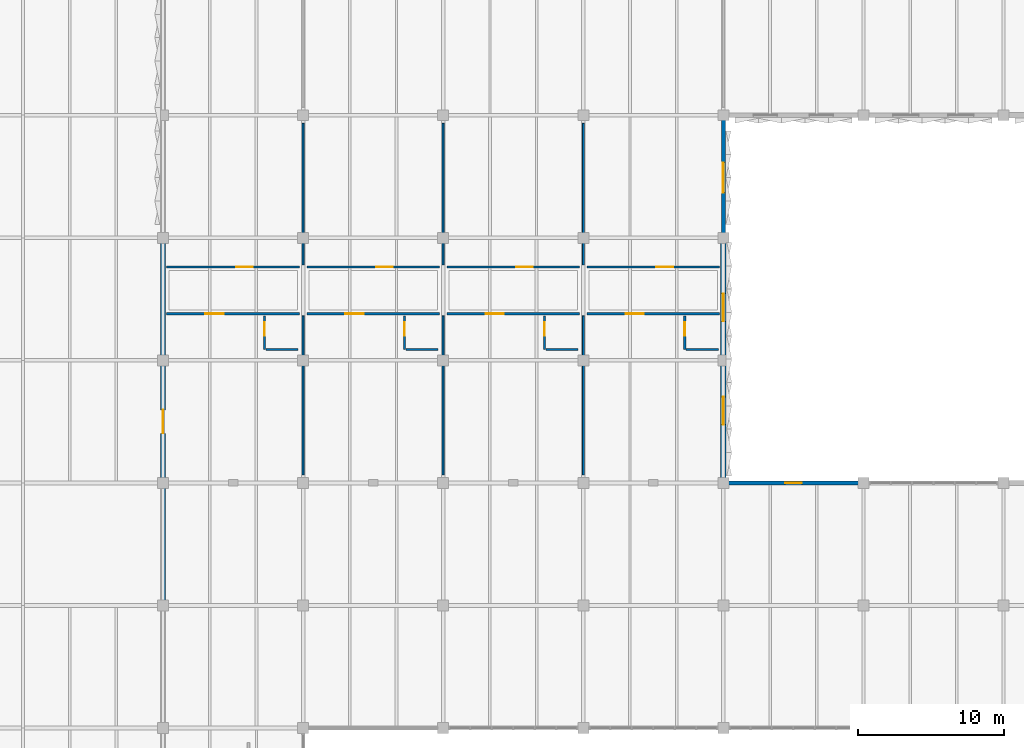
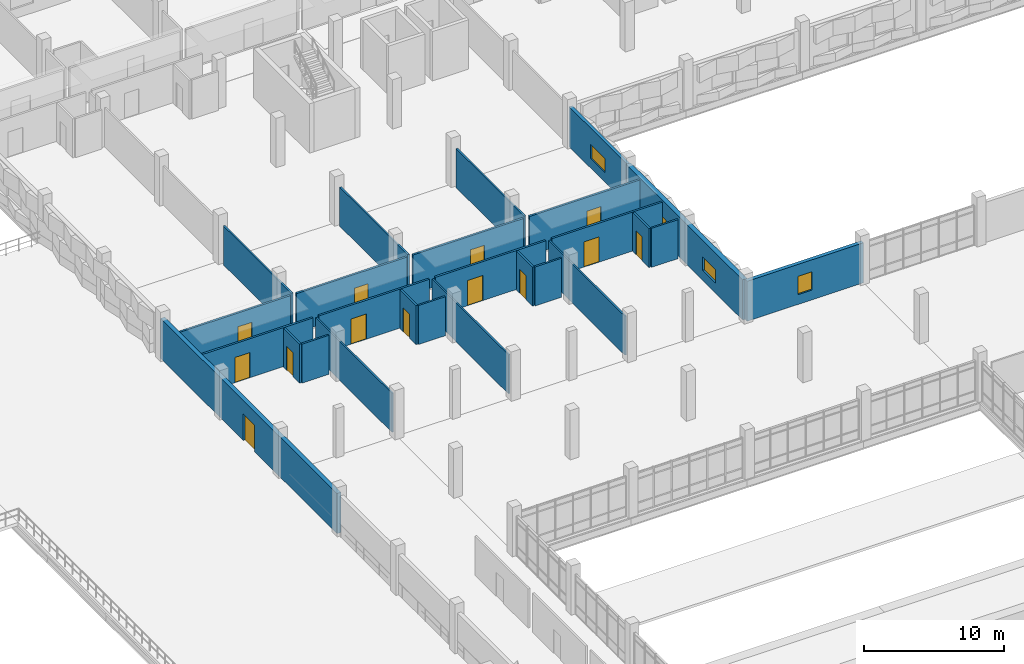
# One storey, part 63 of 86: 26 walls, 13 doors, 4 windows, 17 openings.
"""IFC4 building model written with IfcOpenShell, lengths in metres."""

from ifc_helpers import new_model, si_unit, direction, frame, frame_2d, origin, place, context, subcontext, project, spatial, rectangle, extrude, material, layer, layer_set, type_object, element, fill, save


model = new_model("IFC4")

# Units and contexts
model_context = context("Model", 3, precision=1e-05, world=origin(), true_north=direction((0.0, 1.0)))
body_context = subcontext(model_context, "Body", "Model", "MODEL_VIEW")
ifc_project = project(units=[si_unit("LENGTHUNIT", "METRE"), si_unit("AREAUNIT", "SQUARE_METRE"), si_unit("VOLUMEUNIT", "CUBIC_METRE"), si_unit("PLANEANGLEUNIT", "RADIAN"), si_unit("MASSUNIT", "GRAM", prefix="KILO")], contexts=[model_context])

# Site, building, storey
site_placement = place(None, origin())
site = spatial("IfcSite", under=ifc_project, at=site_placement, CompositionType="ELEMENT")
building_placement = place(site_placement, origin())
building = spatial("IfcBuilding", under=site, at=building_placement, Name="Oolite Switchyard Hospital", CompositionType="ELEMENT")
storey_placement = place(building_placement, frame((0.0, 0.0, 13.5)))
storey = spatial("IfcBuildingStorey", under=building, at=storey_placement, Name="L03", CompositionType="ELEMENT", Elevation=13.5)

# Wall, opening, window
ifc_material_1 = material(Name="Precast oolitic limestone architectural concrete C40/50", Category="masonry")
ifc_layer_1 = layer(ifc_material_1, 0.260009765625)
ifc_layer_set_1 = layer_set([ifc_layer_1], Name="WAL-EXT-260")
wall_type_1 = type_object("IfcWallType", Name="WAL-EXT-260", PredefinedType="SOLIDWALL", material=ifc_layer_set_1)
wall_1_placement = place(storey_placement, frame((172.800048828125, 100.639892578125, 0.0), z_axis=(0.0, 0.0, 1.0), x_axis=(0.0, -1.0, 0.0)))
wall_1 = element("IfcWall", 1, at=wall_1_placement, inside=storey, type_object=wall_type_1, Name="L03 Exterior Spandrel Wall 242", PredefinedType="SOLIDWALL", context=body_context, shape_type="SweptSolid", body=[
    extrude(rectangle(XDim=8.239990234375, YDim=0.260009765625, at=frame_2d((4.1201171875, 0.0))), origin(), (0.0, 0.0, 1.0), 3.489990234375),
])
opening_1_placement = place(wall_1_placement, frame((3.094970703125, 0.0, 0.85009765625)))
opening_1 = element("IfcOpeningElement", 2, at=opening_1_placement, cuts=wall_1, Name="Opening WN-0144", PredefinedType="OPENING", context=body_context, shape_type="SweptSolid", body=[
    extrude(rectangle(XDim=2.050048828125, YDim=1.199951171875, at=frame_2d((1.02490234375, 0.60009765625))), frame((0.0, 0.14013671875, 0.0), z_axis=(0.0, -1.0, 0.0), x_axis=(1.0, 0.0, 0.0)), (0.0, 0.0, 1.0), 0.280029296875),
])
ifc_material_2 = material(Name="Thermally broken aluminum frame with laminated impact glazing", Category="aluminium")
window_type_1 = type_object("IfcWindowType", Name="WIN-IMP-205X120", PartitioningType="SINGLE_PANEL", PredefinedType="WINDOW", material=ifc_material_2)
window_1_placement = place(opening_1_placement, origin())
window_1 = element("IfcWindow", 3, at=window_1_placement, inside=storey, type_object=window_type_1, Name="L03 Hurricane Impact Window WN-0144", OverallHeight=1.199951171875, OverallWidth=2.050048828125, PartitioningType="SINGLE_PANEL", PredefinedType="WINDOW", context=body_context, shape_type="SweptSolid", body=[
    extrude(rectangle(XDim=2.050048828125, YDim=1.199951171875, at=frame_2d((1.02490234375, 0.60009765625))), frame((0.0, 0.030029296875, 0.0), z_axis=(0.0, -1.0, 0.0), x_axis=(1.0, 0.0, 0.0)), (0.0, 0.0, 1.0), 0.06005859375),
])
fill(opening_1, window_1)

ifc_layer_2 = layer(ifc_material_1, 0.300048828125)
ifc_layer_set_2 = layer_set([ifc_layer_2], Name="WAL-EXT-300")
wall_type_2 = type_object("IfcWallType", Name="WAL-EXT-300", PredefinedType="SOLIDWALL", material=ifc_layer_set_2)
wall_2_placement = place(storey_placement, frame((172.800048828125, 75.60009765625, 0.0), z_axis=(0.0, 0.0, 1.0), x_axis=(1.0, 0.0, 0.0)))
wall_2 = element("IfcWall", 4, at=wall_2_placement, inside=storey, type_object=wall_type_2, Name="L03 Exterior Spandrel Wall 181", PredefinedType="SOLIDWALL", context=body_context, shape_type="SweptSolid", body=[
    extrude(rectangle(XDim=9.599853515625, YDim=0.300048828125, at=frame_2d((4.7998046875, 0.0))), origin(), (0.0, 0.0, 1.0), 3.489990234375),
])
opening_2_placement = place(wall_2_placement, frame((4.22509765625, 0.0, 0.85009765625)))
opening_2 = element("IfcOpeningElement", 5, at=opening_2_placement, cuts=wall_2, Name="Opening WN-0073", PredefinedType="OPENING", context=body_context, shape_type="SweptSolid", body=[
    extrude(rectangle(XDim=1.14990234375, YDim=1.60009765625, at=frame_2d((0.574951171875, 0.800048828125))), frame((0.0, 0.16015625, 0.0), z_axis=(0.0, -1.0, 0.0), x_axis=(1.0, 0.0, 0.0)), (0.0, 0.0, 1.0), 0.320068359375),
])
window_type_2 = type_object("IfcWindowType", Name="WIN-IMP-115X160", PartitioningType="SINGLE_PANEL", PredefinedType="WINDOW", material=ifc_material_2)
window_2_placement = place(opening_2_placement, origin())
window_2 = element("IfcWindow", 6, at=window_2_placement, inside=storey, type_object=window_type_2, Name="L03 Hurricane Impact Window WN-0073", OverallHeight=1.60009765625, OverallWidth=1.14990234375, PartitioningType="SINGLE_PANEL", PredefinedType="WINDOW", context=body_context, shape_type="SweptSolid", body=[
    extrude(rectangle(XDim=1.14990234375, YDim=1.60009765625, at=frame_2d((0.574951171875, 0.800048828125))), frame((0.0, 0.030029296875, 0.0), z_axis=(0.0, -1.0, 0.0), x_axis=(1.0, 0.0, 0.0)), (0.0, 0.0, 1.0), 0.06005859375),
])
fill(opening_2, window_2)

# Wall, opening, door
ifc_layer_3 = layer(ifc_material_1, 0.340087890625)
ifc_layer_set_3 = layer_set([ifc_layer_3], Name="WAL-EXT-340")
wall_type_3 = type_object("IfcWallType", Name="WAL-EXT-340", PredefinedType="SOLIDWALL", material=ifc_layer_set_3)
wall_3_placement = place(storey_placement, frame((134.39990234375, 67.199951171875, 0.0), z_axis=(0.0, 0.0, 1.0), x_axis=(0.0, 1.0, 0.0)))
wall_3 = element("IfcWall", 7, at=wall_3_placement, inside=storey, type_object=wall_type_3, Name="L03 Exterior Spandrel Wall 239", PredefinedType="SOLIDWALL", context=body_context, shape_type="SweptSolid", body=[
    extrude(rectangle(XDim=25.199951171875, YDim=0.340087890625, at=frame_2d((12.60009765625, 0.0))), origin(), (0.0, 0.0, 1.0), 3.489990234375),
])
opening_3_placement = place(wall_3_placement, frame((11.800048828125, 0.0, 0.0)))
opening_3 = element("IfcOpeningElement", 8, at=opening_3_placement, cuts=wall_3, Name="Opening EX-23", PredefinedType="OPENING", context=body_context, shape_type="SweptSolid", body=[
    extrude(rectangle(XDim=1.60009765625, YDim=2.300048828125, at=frame_2d((0.800048828125, 1.14990234375))), frame((0.0, 0.18017578125, 0.0), z_axis=(0.0, -1.0, 0.0), x_axis=(1.0, 0.0, 0.0)), (0.0, 0.0, 1.0), 0.360107421875),
])
door_type_1 = type_object("IfcDoorType", Name="DR-TER-160X230", OperationType="NOTDEFINED", PredefinedType="DOOR", material=ifc_material_2)
door_1_placement = place(opening_3_placement, origin())
door_1 = element("IfcDoor", 9, at=door_1_placement, inside=storey, type_object=door_type_1, Name="L03 Exterior EX EX-23", OperationType="SINGLE_SWING_RIGHT", OverallHeight=2.300048828125, OverallWidth=1.60009765625, PredefinedType="DOOR", context=body_context, shape_type="SweptSolid", body=[
    extrude(rectangle(XDim=1.60009765625, YDim=2.300048828125, at=frame_2d((0.800048828125, 1.14990234375))), frame((0.0, 0.02490234375, 0.0), z_axis=(0.0, -1.0, 0.0), x_axis=(1.0, 0.0, 0.0)), (0.0, 0.0, 1.0), 0.050048828125),
])
fill(opening_3, door_1)

# Wall, openings, windows
ifc_layer_4 = layer(ifc_material_1, 0.3798828125)
ifc_layer_set_4 = layer_set([ifc_layer_4], Name="WAL-EXT-380")
wall_type_4 = type_object("IfcWallType", Name="WAL-EXT-380", PredefinedType="SOLIDWALL", material=ifc_layer_set_4)
wall_4_placement = place(storey_placement, frame((172.800048828125, 92.39990234375, 0.0), z_axis=(0.0, 0.0, 1.0), x_axis=(0.0, -1.0, 0.0)))
wall_4 = element("IfcWall", 10, at=wall_4_placement, inside=storey, type_object=wall_type_4, Name="L03 Exterior Spandrel Wall 241", PredefinedType="SOLIDWALL", context=body_context, shape_type="SweptSolid", body=[
    extrude(rectangle(XDim=16.639892578125, YDim=0.3798828125, at=frame_2d((8.31982421875, 0.0))), origin(), (0.0, 0.0, 1.0), 3.489990234375),
])
opening_4_placement = place(wall_4_placement, frame((3.83203125, 0.0, 0.85009765625)))
opening_4 = element("IfcOpeningElement", 11, at=opening_4_placement, cuts=wall_4, Name="Opening WN-0142", PredefinedType="OPENING", context=body_context, shape_type="SweptSolid", body=[
    extrude(rectangle(XDim=1.89990234375, YDim=1.199951171875, at=frame_2d((0.949951171875, 0.60009765625))), frame((0.0, 0.199951171875, 0.0), z_axis=(0.0, -1.0, 0.0), x_axis=(1.0, 0.0, 0.0)), (0.0, 0.0, 1.0), 0.39990234375),
])
opening_5_placement = place(wall_4_placement, frame((10.907958984375, 0.0, 0.85009765625)))
opening_5 = element("IfcOpeningElement", 12, at=opening_5_placement, cuts=wall_4, Name="Opening WN-0143", PredefinedType="OPENING", context=body_context, shape_type="SweptSolid", body=[
    extrude(rectangle(XDim=1.89990234375, YDim=1.199951171875, at=frame_2d((0.949951171875, 0.60009765625))), frame((0.0, 0.199951171875, 0.0), z_axis=(0.0, -1.0, 0.0), x_axis=(1.0, 0.0, 0.0)), (0.0, 0.0, 1.0), 0.39990234375),
])
window_type_3 = type_object("IfcWindowType", Name="WIN-IMP-190X120", PartitioningType="SINGLE_PANEL", PredefinedType="WINDOW", material=ifc_material_2)
window_3_placement = place(opening_4_placement, origin())
window_3 = element("IfcWindow", 13, at=window_3_placement, inside=storey, type_object=window_type_3, Name="L03 Hurricane Impact Window WN-0142", OverallHeight=1.199951171875, OverallWidth=1.89990234375, PartitioningType="SINGLE_PANEL", PredefinedType="WINDOW", context=body_context, shape_type="SweptSolid", body=[
    extrude(rectangle(XDim=1.89990234375, YDim=1.199951171875, at=frame_2d((0.949951171875, 0.60009765625))), frame((0.0, 0.030029296875, 0.0), z_axis=(0.0, -1.0, 0.0), x_axis=(1.0, 0.0, 0.0)), (0.0, 0.0, 1.0), 0.06005859375),
])
fill(opening_4, window_3)
window_4_placement = place(opening_5_placement, origin())
window_4 = element("IfcWindow", 14, at=window_4_placement, inside=storey, type_object=window_type_3, Name="L03 Hurricane Impact Window WN-0143", OverallHeight=1.199951171875, OverallWidth=1.89990234375, PartitioningType="SINGLE_PANEL", PredefinedType="WINDOW", context=body_context, shape_type="SweptSolid", body=[
    extrude(rectangle(XDim=1.89990234375, YDim=1.199951171875, at=frame_2d((0.949951171875, 0.60009765625))), frame((0.0, 0.030029296875, 0.0), z_axis=(0.0, -1.0, 0.0), x_axis=(1.0, 0.0, 0.0)), (0.0, 0.0, 1.0), 0.06005859375),
])
fill(opening_5, window_4)

# Walls
ifc_material_3 = material(Name="Moisture-resistant gypsum board on steel studs", Category="steel")
ifc_layer_5 = layer(ifc_material_3, 0.135009765625)
ifc_layer_set_5 = layer_set([ifc_layer_5], Name="WAL-PART-135")
wall_type_5 = type_object("IfcWallType", Name="WAL-PART-135", PredefinedType="PARTITIONING", material=ifc_layer_set_5)
wall_5_placement = place(storey_placement, frame((144.0, 76.14990234375, 0.0), z_axis=(0.0, 0.0, 1.0), x_axis=(0.0, 1.0, 0.0)))
element("IfcWall", 15, at=wall_5_placement, inside=storey, type_object=wall_type_5, Name="L03 Interior Partition 932", PredefinedType="PARTITIONING", context=body_context, shape_type="SweptSolid", body=[
    extrude(rectangle(XDim=10.900146484375, YDim=0.135009765625, at=frame_2d((5.4501953125, 0.0))), origin(), (0.0, 0.0, 1.0), 3.39990234375),
])
wall_6_placement = place(storey_placement, frame((144.0, 90.550048828125, 0.0), z_axis=(0.0, 0.0, 1.0), x_axis=(0.0, 1.0, 0.0)))
element("IfcWall", 16, at=wall_6_placement, inside=storey, type_object=wall_type_5, Name="L03 Interior Partition 934", PredefinedType="PARTITIONING", context=body_context, shape_type="SweptSolid", body=[
    extrude(rectangle(XDim=9.699951171875, YDim=0.135009765625, at=frame_2d((4.85009765625, 0.0))), origin(), (0.0, 0.0, 1.0), 3.39990234375),
])
wall_7_placement = place(storey_placement, frame((153.60009765625, 76.14990234375, 0.0), z_axis=(0.0, 0.0, 1.0), x_axis=(0.0, 1.0, 0.0)))
element("IfcWall", 17, at=wall_7_placement, inside=storey, type_object=wall_type_5, Name="L03 Interior Partition 938", PredefinedType="PARTITIONING", context=body_context, shape_type="SweptSolid", body=[
    extrude(rectangle(XDim=10.900146484375, YDim=0.135009765625, at=frame_2d((5.4501953125, 0.0))), origin(), (0.0, 0.0, 1.0), 3.39990234375),
])
wall_8_placement = place(storey_placement, frame((153.60009765625, 90.550048828125, 0.0), z_axis=(0.0, 0.0, 1.0), x_axis=(0.0, 1.0, 0.0)))
element("IfcWall", 18, at=wall_8_placement, inside=storey, type_object=wall_type_5, Name="L03 Interior Partition 940", PredefinedType="PARTITIONING", context=body_context, shape_type="SweptSolid", body=[
    extrude(rectangle(XDim=9.699951171875, YDim=0.135009765625, at=frame_2d((4.85009765625, 0.0))), origin(), (0.0, 0.0, 1.0), 3.39990234375),
])
wall_9_placement = place(storey_placement, frame((163.199951171875, 76.14990234375, 0.0), z_axis=(0.0, 0.0, 1.0), x_axis=(0.0, 1.0, 0.0)))
element("IfcWall", 19, at=wall_9_placement, inside=storey, type_object=wall_type_5, Name="L03 Interior Partition 944", PredefinedType="PARTITIONING", context=body_context, shape_type="SweptSolid", body=[
    extrude(rectangle(XDim=10.900146484375, YDim=0.135009765625, at=frame_2d((5.4501953125, 0.0))), origin(), (0.0, 0.0, 1.0), 3.39990234375),
])
wall_10_placement = place(storey_placement, frame((163.199951171875, 90.550048828125, 0.0), z_axis=(0.0, 0.0, 1.0), x_axis=(0.0, 1.0, 0.0)))
element("IfcWall", 20, at=wall_10_placement, inside=storey, type_object=wall_type_5, Name="L03 Interior Partition 946", PredefinedType="PARTITIONING", context=body_context, shape_type="SweptSolid", body=[
    extrude(rectangle(XDim=9.699951171875, YDim=0.135009765625, at=frame_2d((4.85009765625, 0.0))), origin(), (0.0, 0.0, 1.0), 3.39990234375),
])

# Wall, opening, door
ifc_layer_6 = layer(ifc_material_3, 0.14990234375)
ifc_layer_set_6 = layer_set([ifc_layer_6], Name="WAL-PART-150")
wall_type_6 = type_object("IfcWallType", Name="WAL-PART-150", PredefinedType="PARTITIONING", material=ifc_layer_set_6)
wall_11_placement = place(storey_placement, frame((141.35009765625, 84.75, 0.0), z_axis=(0.0, 0.0, 1.0), x_axis=(0.0, 1.0, 0.0)))
wall_11 = element("IfcWall", 21, at=wall_11_placement, inside=storey, type_object=wall_type_6, Name="L03 Interior Partition 926", PredefinedType="PARTITIONING", context=body_context, shape_type="SweptSolid", body=[
    extrude(rectangle(XDim=2.300048828125, YDim=0.14990234375, at=frame_2d((1.14990234375, 0.0))), origin(), (0.0, 0.0, 1.0), 3.39990234375),
])
opening_6_placement = place(wall_11_placement, frame((0.949951171875, 0.0, 0.0)))
opening_6 = element("IfcOpeningElement", 22, at=opening_6_placement, cuts=wall_11, Name="Opening D-0514", PredefinedType="OPENING", context=body_context, shape_type="SweptSolid", body=[
    extrude(rectangle(XDim=0.89990234375, YDim=2.10009765625, at=frame_2d((0.449951171875, 1.050048828125))), frame((0.0, 0.0849609375, 0.0), z_axis=(0.0, -1.0, 0.0), x_axis=(1.0, 0.0, 0.0)), (0.0, 0.0, 1.0), 0.169921875),
])
ifc_material_4 = material(Name="Solid-core antimicrobial hardwood leaf in steel frame", Category="steel")
door_type_2 = type_object("IfcDoorType", Name="DR-BATH-090X210", OperationType="NOTDEFINED", PredefinedType="DOOR", material=ifc_material_4)
door_2_placement = place(opening_6_placement, origin())
door_2 = element("IfcDoor", 23, at=door_2_placement, inside=storey, type_object=door_type_2, Name="L03 Interior Door D-0514", OperationType="SINGLE_SWING_RIGHT", OverallHeight=2.10009765625, OverallWidth=0.89990234375, PredefinedType="DOOR", context=body_context, shape_type="SweptSolid", body=[
    extrude(rectangle(XDim=0.89990234375, YDim=2.10009765625, at=frame_2d((0.449951171875, 1.050048828125))), frame((0.0, 0.02490234375, 0.0), z_axis=(0.0, -1.0, 0.0), x_axis=(1.0, 0.0, 0.0)), (0.0, 0.0, 1.0), 0.050048828125),
])
fill(opening_6, door_2)

# Wall
wall_12_placement = place(storey_placement, frame((141.449951171875, 84.75, 0.0), z_axis=(0.0, 0.0, 1.0), x_axis=(1.0, 0.0, 0.0)))
element("IfcWall", 24, at=wall_12_placement, inside=storey, type_object=wall_type_6, Name="L03 Interior Partition 927", PredefinedType="PARTITIONING", context=body_context, shape_type="SweptSolid", body=[
    extrude(rectangle(XDim=2.199951171875, YDim=0.14990234375, at=frame_2d((1.10009765625, 0.0))), origin(), (0.0, 0.0, 1.0), 3.39990234375),
])

# Wall, opening, door
wall_13_placement = place(storey_placement, frame((150.949951171875, 84.75, 0.0), z_axis=(0.0, 0.0, 1.0), x_axis=(0.0, 1.0, 0.0)))
wall_13 = element("IfcWall", 25, at=wall_13_placement, inside=storey, type_object=wall_type_6, Name="L03 Interior Partition 930", PredefinedType="PARTITIONING", context=body_context, shape_type="SweptSolid", body=[
    extrude(rectangle(XDim=2.300048828125, YDim=0.14990234375, at=frame_2d((1.14990234375, 0.0))), origin(), (0.0, 0.0, 1.0), 3.39990234375),
])
opening_7_placement = place(wall_13_placement, frame((0.949951171875, 0.0, 0.0)))
opening_7 = element("IfcOpeningElement", 26, at=opening_7_placement, cuts=wall_13, Name="Opening D-0517", PredefinedType="OPENING", context=body_context, shape_type="SweptSolid", body=[
    extrude(rectangle(XDim=0.89990234375, YDim=2.10009765625, at=frame_2d((0.449951171875, 1.050048828125))), frame((0.0, 0.0849609375, 0.0), z_axis=(0.0, -1.0, 0.0), x_axis=(1.0, 0.0, 0.0)), (0.0, 0.0, 1.0), 0.169921875),
])
door_3_placement = place(opening_7_placement, origin())
door_3 = element("IfcDoor", 27, at=door_3_placement, inside=storey, type_object=door_type_2, Name="L03 Interior Door D-0517", OperationType="SINGLE_SWING_LEFT", OverallHeight=2.10009765625, OverallWidth=0.89990234375, PredefinedType="DOOR", context=body_context, shape_type="SweptSolid", body=[
    extrude(rectangle(XDim=0.89990234375, YDim=2.10009765625, at=frame_2d((0.449951171875, 1.050048828125))), frame((0.0, 0.02490234375, 0.0), z_axis=(0.0, -1.0, 0.0), x_axis=(1.0, 0.0, 0.0)), (0.0, 0.0, 1.0), 0.050048828125),
])
fill(opening_7, door_3)

# Wall
wall_14_placement = place(storey_placement, frame((151.050048828125, 84.75, 0.0), z_axis=(0.0, 0.0, 1.0), x_axis=(1.0, 0.0, 0.0)))
element("IfcWall", 28, at=wall_14_placement, inside=storey, type_object=wall_type_6, Name="L03 Interior Partition 931", PredefinedType="PARTITIONING", context=body_context, shape_type="SweptSolid", body=[
    extrude(rectangle(XDim=2.199951171875, YDim=0.14990234375, at=frame_2d((1.10009765625, 0.0))), origin(), (0.0, 0.0, 1.0), 3.39990234375),
])

# Wall, opening, door
wall_15_placement = place(storey_placement, frame((160.550048828125, 84.75, 0.0), z_axis=(0.0, 0.0, 1.0), x_axis=(0.0, 1.0, 0.0)))
wall_15 = element("IfcWall", 29, at=wall_15_placement, inside=storey, type_object=wall_type_6, Name="L03 Interior Partition 936", PredefinedType="PARTITIONING", context=body_context, shape_type="SweptSolid", body=[
    extrude(rectangle(XDim=2.300048828125, YDim=0.14990234375, at=frame_2d((1.14990234375, 0.0))), origin(), (0.0, 0.0, 1.0), 3.39990234375),
])
opening_8_placement = place(wall_15_placement, frame((0.949951171875, 0.0, 0.0)))
opening_8 = element("IfcOpeningElement", 30, at=opening_8_placement, cuts=wall_15, Name="Opening D-0520", PredefinedType="OPENING", context=body_context, shape_type="SweptSolid", body=[
    extrude(rectangle(XDim=0.89990234375, YDim=2.10009765625, at=frame_2d((0.449951171875, 1.050048828125))), frame((0.0, 0.0849609375, 0.0), z_axis=(0.0, -1.0, 0.0), x_axis=(1.0, 0.0, 0.0)), (0.0, 0.0, 1.0), 0.169921875),
])
door_4_placement = place(opening_8_placement, origin())
door_4 = element("IfcDoor", 31, at=door_4_placement, inside=storey, type_object=door_type_2, Name="L03 Interior Door D-0520", OperationType="SINGLE_SWING_RIGHT", OverallHeight=2.10009765625, OverallWidth=0.89990234375, PredefinedType="DOOR", context=body_context, shape_type="SweptSolid", body=[
    extrude(rectangle(XDim=0.89990234375, YDim=2.10009765625, at=frame_2d((0.449951171875, 1.050048828125))), frame((0.0, 0.02490234375, 0.0), z_axis=(0.0, -1.0, 0.0), x_axis=(1.0, 0.0, 0.0)), (0.0, 0.0, 1.0), 0.050048828125),
])
fill(opening_8, door_4)

# Wall
wall_16_placement = place(storey_placement, frame((160.64990234375, 84.75, 0.0), z_axis=(0.0, 0.0, 1.0), x_axis=(1.0, 0.0, 0.0)))
element("IfcWall", 32, at=wall_16_placement, inside=storey, type_object=wall_type_6, Name="L03 Interior Partition 937", PredefinedType="PARTITIONING", context=body_context, shape_type="SweptSolid", body=[
    extrude(rectangle(XDim=2.2001953125, YDim=0.14990234375, at=frame_2d((1.10009765625, 0.0))), origin(), (0.0, 0.0, 1.0), 3.39990234375),
])

# Wall, opening, door
wall_17_placement = place(storey_placement, frame((170.14990234375, 84.75, 0.0), z_axis=(0.0, 0.0, 1.0), x_axis=(0.0, 1.0, 0.0)))
wall_17 = element("IfcWall", 33, at=wall_17_placement, inside=storey, type_object=wall_type_6, Name="L03 Interior Partition 942", PredefinedType="PARTITIONING", context=body_context, shape_type="SweptSolid", body=[
    extrude(rectangle(XDim=2.300048828125, YDim=0.14990234375, at=frame_2d((1.14990234375, 0.0))), origin(), (0.0, 0.0, 1.0), 3.39990234375),
])
opening_9_placement = place(wall_17_placement, frame((0.949951171875, 0.0, 0.0)))
opening_9 = element("IfcOpeningElement", 34, at=opening_9_placement, cuts=wall_17, Name="Opening D-0523", PredefinedType="OPENING", context=body_context, shape_type="SweptSolid", body=[
    extrude(rectangle(XDim=0.89990234375, YDim=2.10009765625, at=frame_2d((0.449951171875, 1.050048828125))), frame((0.0, 0.0849609375, 0.0), z_axis=(0.0, -1.0, 0.0), x_axis=(1.0, 0.0, 0.0)), (0.0, 0.0, 1.0), 0.169921875),
])
door_5_placement = place(opening_9_placement, origin())
door_5 = element("IfcDoor", 35, at=door_5_placement, inside=storey, type_object=door_type_2, Name="L03 Interior Door D-0523", OperationType="SINGLE_SWING_LEFT", OverallHeight=2.10009765625, OverallWidth=0.89990234375, PredefinedType="DOOR", context=body_context, shape_type="SweptSolid", body=[
    extrude(rectangle(XDim=0.89990234375, YDim=2.10009765625, at=frame_2d((0.449951171875, 1.050048828125))), frame((0.0, 0.02490234375, 0.0), z_axis=(0.0, -1.0, 0.0), x_axis=(1.0, 0.0, 0.0)), (0.0, 0.0, 1.0), 0.050048828125),
])
fill(opening_9, door_5)

# Wall
wall_18_placement = place(storey_placement, frame((170.25, 84.75, 0.0), z_axis=(0.0, 0.0, 1.0), x_axis=(1.0, 0.0, 0.0)))
element("IfcWall", 36, at=wall_18_placement, inside=storey, type_object=wall_type_6, Name="L03 Interior Partition 943", PredefinedType="PARTITIONING", context=body_context, shape_type="SweptSolid", body=[
    extrude(rectangle(XDim=2.199951171875, YDim=0.14990234375, at=frame_2d((1.10009765625, 0.0))), origin(), (0.0, 0.0, 1.0), 3.39990234375),
])

# Wall, opening, door
ifc_layer_7 = layer(ifc_material_3, 0.1650390625)
ifc_layer_set_7 = layer_set([ifc_layer_7], Name="WAL-PART-165")
wall_type_7 = type_object("IfcWallType", Name="WAL-PART-165", PredefinedType="PARTITIONING", material=ifc_layer_set_7)
wall_19_placement = place(storey_placement, frame((134.64990234375, 87.199951171875, 0.0), z_axis=(0.0, 0.0, 1.0), x_axis=(1.0, 0.0, 0.0)))
wall_19 = element("IfcWall", 37, at=wall_19_placement, inside=storey, type_object=wall_type_7, Name="L03 Interior Partition 925", PredefinedType="PARTITIONING", context=body_context, shape_type="SweptSolid", body=[
    extrude(rectangle(XDim=9.10009765625, YDim=0.1650390625, at=frame_2d((4.550048828125, 0.0))), origin(), (0.0, 0.0, 1.0), 3.39990234375),
])
opening_10_placement = place(wall_19_placement, frame((2.64990234375, 0.0, 0.0)))
opening_10 = element("IfcOpeningElement", 38, at=opening_10_placement, cuts=wall_19, Name="Opening D-0513", PredefinedType="OPENING", context=body_context, shape_type="SweptSolid", body=[
    extrude(rectangle(XDim=1.25, YDim=2.199951171875, at=frame_2d((0.625, 1.10009765625))), frame((0.0, 0.092529296875, 0.0), z_axis=(0.0, -1.0, 0.0), x_axis=(1.0, 0.0, 0.0)), (0.0, 0.0, 1.0), 0.18505859375),
])
door_type_3 = type_object("IfcDoorType", Name="DR-WARD-125X220", OperationType="NOTDEFINED", PredefinedType="DOOR", material=ifc_material_4)
door_6_placement = place(opening_10_placement, origin())
door_6 = element("IfcDoor", 39, at=door_6_placement, inside=storey, type_object=door_type_3, Name="L03 Interior Door D-0513", OperationType="SINGLE_SWING_LEFT", OverallHeight=2.199951171875, OverallWidth=1.25, PredefinedType="DOOR", context=body_context, shape_type="SweptSolid", body=[
    extrude(rectangle(XDim=1.25, YDim=2.199951171875, at=frame_2d((0.625, 1.10009765625))), frame((0.0, 0.02490234375, 0.0), z_axis=(0.0, -1.0, 0.0), x_axis=(1.0, 0.0, 0.0)), (0.0, 0.0, 1.0), 0.050048828125),
])
fill(opening_10, door_6)

wall_20_placement = place(storey_placement, frame((134.64990234375, 90.39990234375, 0.0), z_axis=(0.0, 0.0, 1.0), x_axis=(1.0, 0.0, 0.0)))
wall_20 = element("IfcWall", 40, at=wall_20_placement, inside=storey, type_object=wall_type_7, Name="L03 Interior Partition 928", PredefinedType="PARTITIONING", context=body_context, shape_type="SweptSolid", body=[
    extrude(rectangle(XDim=9.10009765625, YDim=0.1650390625, at=frame_2d((4.550048828125, 0.0))), origin(), (0.0, 0.0, 1.0), 3.39990234375),
])
opening_11_placement = place(wall_20_placement, frame((4.75, 0.0, 0.0)))
opening_11 = element("IfcOpeningElement", 41, at=opening_11_placement, cuts=wall_20, Name="Opening D-0515", PredefinedType="OPENING", context=body_context, shape_type="SweptSolid", body=[
    extrude(rectangle(XDim=1.14990234375, YDim=2.199951171875, at=frame_2d((0.574951171875, 1.10009765625))), frame((0.0, 0.092529296875, 0.0), z_axis=(0.0, -1.0, 0.0), x_axis=(1.0, 0.0, 0.0)), (0.0, 0.0, 1.0), 0.18505859375),
])
door_type_4 = type_object("IfcDoorType", Name="DR-CLIN-115X220", OperationType="NOTDEFINED", PredefinedType="DOOR", material=ifc_material_4)
door_7_placement = place(opening_11_placement, origin())
door_7 = element("IfcDoor", 42, at=door_7_placement, inside=storey, type_object=door_type_4, Name="L03 Interior Door D-0515", OperationType="SINGLE_SWING_RIGHT", OverallHeight=2.199951171875, OverallWidth=1.14990234375, PredefinedType="DOOR", context=body_context, shape_type="SweptSolid", body=[
    extrude(rectangle(XDim=1.14990234375, YDim=2.199951171875, at=frame_2d((0.574951171875, 1.10009765625))), frame((0.0, 0.02490234375, 0.0), z_axis=(0.0, -1.0, 0.0), x_axis=(1.0, 0.0, 0.0)), (0.0, 0.0, 1.0), 0.050048828125),
])
fill(opening_11, door_7)

wall_21_placement = place(storey_placement, frame((144.25, 87.199951171875, 0.0), z_axis=(0.0, 0.0, 1.0), x_axis=(1.0, 0.0, 0.0)))
wall_21 = element("IfcWall", 43, at=wall_21_placement, inside=storey, type_object=wall_type_7, Name="L03 Interior Partition 929", PredefinedType="PARTITIONING", context=body_context, shape_type="SweptSolid", body=[
    extrude(rectangle(XDim=9.10009765625, YDim=0.1650390625, at=frame_2d((4.550048828125, 0.0))), origin(), (0.0, 0.0, 1.0), 3.39990234375),
])
opening_12_placement = place(wall_21_placement, frame((2.64990234375, 0.0, 0.0)))
opening_12 = element("IfcOpeningElement", 44, at=opening_12_placement, cuts=wall_21, Name="Opening D-0516", PredefinedType="OPENING", context=body_context, shape_type="SweptSolid", body=[
    extrude(rectangle(XDim=1.25, YDim=2.199951171875, at=frame_2d((0.625, 1.10009765625))), frame((0.0, 0.092529296875, 0.0), z_axis=(0.0, -1.0, 0.0), x_axis=(1.0, 0.0, 0.0)), (0.0, 0.0, 1.0), 0.18505859375),
])
door_8_placement = place(opening_12_placement, origin())
door_8 = element("IfcDoor", 45, at=door_8_placement, inside=storey, type_object=door_type_3, Name="L03 Interior Door D-0516", OperationType="SINGLE_SWING_RIGHT", OverallHeight=2.199951171875, OverallWidth=1.25, PredefinedType="DOOR", context=body_context, shape_type="SweptSolid", body=[
    extrude(rectangle(XDim=1.25, YDim=2.199951171875, at=frame_2d((0.625, 1.10009765625))), frame((0.0, 0.02490234375, 0.0), z_axis=(0.0, -1.0, 0.0), x_axis=(1.0, 0.0, 0.0)), (0.0, 0.0, 1.0), 0.050048828125),
])
fill(opening_12, door_8)

wall_22_placement = place(storey_placement, frame((144.25, 90.39990234375, 0.0), z_axis=(0.0, 0.0, 1.0), x_axis=(1.0, 0.0, 0.0)))
wall_22 = element("IfcWall", 46, at=wall_22_placement, inside=storey, type_object=wall_type_7, Name="L03 Interior Partition 933", PredefinedType="PARTITIONING", context=body_context, shape_type="SweptSolid", body=[
    extrude(rectangle(XDim=9.10009765625, YDim=0.1650390625, at=frame_2d((4.550048828125, 0.0))), origin(), (0.0, 0.0, 1.0), 3.39990234375),
])
opening_13_placement = place(wall_22_placement, frame((4.75, 0.0, 0.0)))
opening_13 = element("IfcOpeningElement", 47, at=opening_13_placement, cuts=wall_22, Name="Opening D-0518", PredefinedType="OPENING", context=body_context, shape_type="SweptSolid", body=[
    extrude(rectangle(XDim=1.14990234375, YDim=2.199951171875, at=frame_2d((0.574951171875, 1.10009765625))), frame((0.0, 0.092529296875, 0.0), z_axis=(0.0, -1.0, 0.0), x_axis=(1.0, 0.0, 0.0)), (0.0, 0.0, 1.0), 0.18505859375),
])
door_9_placement = place(opening_13_placement, origin())
door_9 = element("IfcDoor", 48, at=door_9_placement, inside=storey, type_object=door_type_4, Name="L03 Interior Door D-0518", OperationType="SINGLE_SWING_LEFT", OverallHeight=2.199951171875, OverallWidth=1.14990234375, PredefinedType="DOOR", context=body_context, shape_type="SweptSolid", body=[
    extrude(rectangle(XDim=1.14990234375, YDim=2.199951171875, at=frame_2d((0.574951171875, 1.10009765625))), frame((0.0, 0.02490234375, 0.0), z_axis=(0.0, -1.0, 0.0), x_axis=(1.0, 0.0, 0.0)), (0.0, 0.0, 1.0), 0.050048828125),
])
fill(opening_13, door_9)

wall_23_placement = place(storey_placement, frame((153.85009765625, 87.199951171875, 0.0), z_axis=(0.0, 0.0, 1.0), x_axis=(1.0, 0.0, 0.0)))
wall_23 = element("IfcWall", 49, at=wall_23_placement, inside=storey, type_object=wall_type_7, Name="L03 Interior Partition 935", PredefinedType="PARTITIONING", context=body_context, shape_type="SweptSolid", body=[
    extrude(rectangle(XDim=9.099853515625, YDim=0.1650390625, at=frame_2d((4.5498046875, 0.0))), origin(), (0.0, 0.0, 1.0), 3.39990234375),
])
opening_14_placement = place(wall_23_placement, frame((2.64990234375, 0.0, 0.0)))
opening_14 = element("IfcOpeningElement", 50, at=opening_14_placement, cuts=wall_23, Name="Opening D-0519", PredefinedType="OPENING", context=body_context, shape_type="SweptSolid", body=[
    extrude(rectangle(XDim=1.25, YDim=2.199951171875, at=frame_2d((0.625, 1.10009765625))), frame((0.0, 0.092529296875, 0.0), z_axis=(0.0, -1.0, 0.0), x_axis=(1.0, 0.0, 0.0)), (0.0, 0.0, 1.0), 0.18505859375),
])
door_10_placement = place(opening_14_placement, origin())
door_10 = element("IfcDoor", 51, at=door_10_placement, inside=storey, type_object=door_type_3, Name="L03 Interior Door D-0519", OperationType="SINGLE_SWING_LEFT", OverallHeight=2.199951171875, OverallWidth=1.25, PredefinedType="DOOR", context=body_context, shape_type="SweptSolid", body=[
    extrude(rectangle(XDim=1.25, YDim=2.199951171875, at=frame_2d((0.625, 1.10009765625))), frame((0.0, 0.02490234375, 0.0), z_axis=(0.0, -1.0, 0.0), x_axis=(1.0, 0.0, 0.0)), (0.0, 0.0, 1.0), 0.050048828125),
])
fill(opening_14, door_10)

wall_24_placement = place(storey_placement, frame((153.85009765625, 90.39990234375, 0.0), z_axis=(0.0, 0.0, 1.0), x_axis=(1.0, 0.0, 0.0)))
wall_24 = element("IfcWall", 52, at=wall_24_placement, inside=storey, type_object=wall_type_7, Name="L03 Interior Partition 939", PredefinedType="PARTITIONING", context=body_context, shape_type="SweptSolid", body=[
    extrude(rectangle(XDim=9.099853515625, YDim=0.1650390625, at=frame_2d((4.5498046875, 0.0))), origin(), (0.0, 0.0, 1.0), 3.39990234375),
])
opening_15_placement = place(wall_24_placement, frame((4.75, 0.0, 0.0)))
opening_15 = element("IfcOpeningElement", 53, at=opening_15_placement, cuts=wall_24, Name="Opening D-0521", PredefinedType="OPENING", context=body_context, shape_type="SweptSolid", body=[
    extrude(rectangle(XDim=1.14990234375, YDim=2.199951171875, at=frame_2d((0.574951171875, 1.10009765625))), frame((0.0, 0.092529296875, 0.0), z_axis=(0.0, -1.0, 0.0), x_axis=(1.0, 0.0, 0.0)), (0.0, 0.0, 1.0), 0.18505859375),
])
door_11_placement = place(opening_15_placement, origin())
door_11 = element("IfcDoor", 54, at=door_11_placement, inside=storey, type_object=door_type_4, Name="L03 Interior Door D-0521", OperationType="SINGLE_SWING_RIGHT", OverallHeight=2.199951171875, OverallWidth=1.14990234375, PredefinedType="DOOR", context=body_context, shape_type="SweptSolid", body=[
    extrude(rectangle(XDim=1.14990234375, YDim=2.199951171875, at=frame_2d((0.574951171875, 1.10009765625))), frame((0.0, 0.02490234375, 0.0), z_axis=(0.0, -1.0, 0.0), x_axis=(1.0, 0.0, 0.0)), (0.0, 0.0, 1.0), 0.050048828125),
])
fill(opening_15, door_11)

wall_25_placement = place(storey_placement, frame((163.449951171875, 87.199951171875, 0.0), z_axis=(0.0, 0.0, 1.0), x_axis=(1.0, 0.0, 0.0)))
wall_25 = element("IfcWall", 55, at=wall_25_placement, inside=storey, type_object=wall_type_7, Name="L03 Interior Partition 941", PredefinedType="PARTITIONING", context=body_context, shape_type="SweptSolid", body=[
    extrude(rectangle(XDim=9.10009765625, YDim=0.1650390625, at=frame_2d((4.550048828125, 0.0))), origin(), (0.0, 0.0, 1.0), 3.39990234375),
])
opening_16_placement = place(wall_25_placement, frame((2.64990234375, 0.0, 0.0)))
opening_16 = element("IfcOpeningElement", 56, at=opening_16_placement, cuts=wall_25, Name="Opening D-0522", PredefinedType="OPENING", context=body_context, shape_type="SweptSolid", body=[
    extrude(rectangle(XDim=1.25, YDim=2.199951171875, at=frame_2d((0.625, 1.10009765625))), frame((0.0, 0.092529296875, 0.0), z_axis=(0.0, -1.0, 0.0), x_axis=(1.0, 0.0, 0.0)), (0.0, 0.0, 1.0), 0.18505859375),
])
door_12_placement = place(opening_16_placement, origin())
door_12 = element("IfcDoor", 57, at=door_12_placement, inside=storey, type_object=door_type_3, Name="L03 Interior Door D-0522", OperationType="SINGLE_SWING_RIGHT", OverallHeight=2.199951171875, OverallWidth=1.25, PredefinedType="DOOR", context=body_context, shape_type="SweptSolid", body=[
    extrude(rectangle(XDim=1.25, YDim=2.199951171875, at=frame_2d((0.625, 1.10009765625))), frame((0.0, 0.02490234375, 0.0), z_axis=(0.0, -1.0, 0.0), x_axis=(1.0, 0.0, 0.0)), (0.0, 0.0, 1.0), 0.050048828125),
])
fill(opening_16, door_12)

wall_26_placement = place(storey_placement, frame((163.449951171875, 90.39990234375, 0.0), z_axis=(0.0, 0.0, 1.0), x_axis=(1.0, 0.0, 0.0)))
wall_26 = element("IfcWall", 58, at=wall_26_placement, inside=storey, type_object=wall_type_7, Name="L03 Interior Partition 945", PredefinedType="PARTITIONING", context=body_context, shape_type="SweptSolid", body=[
    extrude(rectangle(XDim=9.10009765625, YDim=0.1650390625, at=frame_2d((4.550048828125, 0.0))), origin(), (0.0, 0.0, 1.0), 3.39990234375),
])
opening_17_placement = place(wall_26_placement, frame((4.75, 0.0, 0.0)))
opening_17 = element("IfcOpeningElement", 59, at=opening_17_placement, cuts=wall_26, Name="Opening D-0524", PredefinedType="OPENING", context=body_context, shape_type="SweptSolid", body=[
    extrude(rectangle(XDim=1.14990234375, YDim=2.199951171875, at=frame_2d((0.574951171875, 1.10009765625))), frame((0.0, 0.092529296875, 0.0), z_axis=(0.0, -1.0, 0.0), x_axis=(1.0, 0.0, 0.0)), (0.0, 0.0, 1.0), 0.18505859375),
])
door_13_placement = place(opening_17_placement, origin())
door_13 = element("IfcDoor", 60, at=door_13_placement, inside=storey, type_object=door_type_4, Name="L03 Interior Door D-0524", OperationType="SINGLE_SWING_LEFT", OverallHeight=2.199951171875, OverallWidth=1.14990234375, PredefinedType="DOOR", context=body_context, shape_type="SweptSolid", body=[
    extrude(rectangle(XDim=1.14990234375, YDim=2.199951171875, at=frame_2d((0.574951171875, 1.10009765625))), frame((0.0, 0.02490234375, 0.0), z_axis=(0.0, -1.0, 0.0), x_axis=(1.0, 0.0, 0.0)), (0.0, 0.0, 1.0), 0.050048828125),
])
fill(opening_17, door_13)

save(model, "model.ifc")
